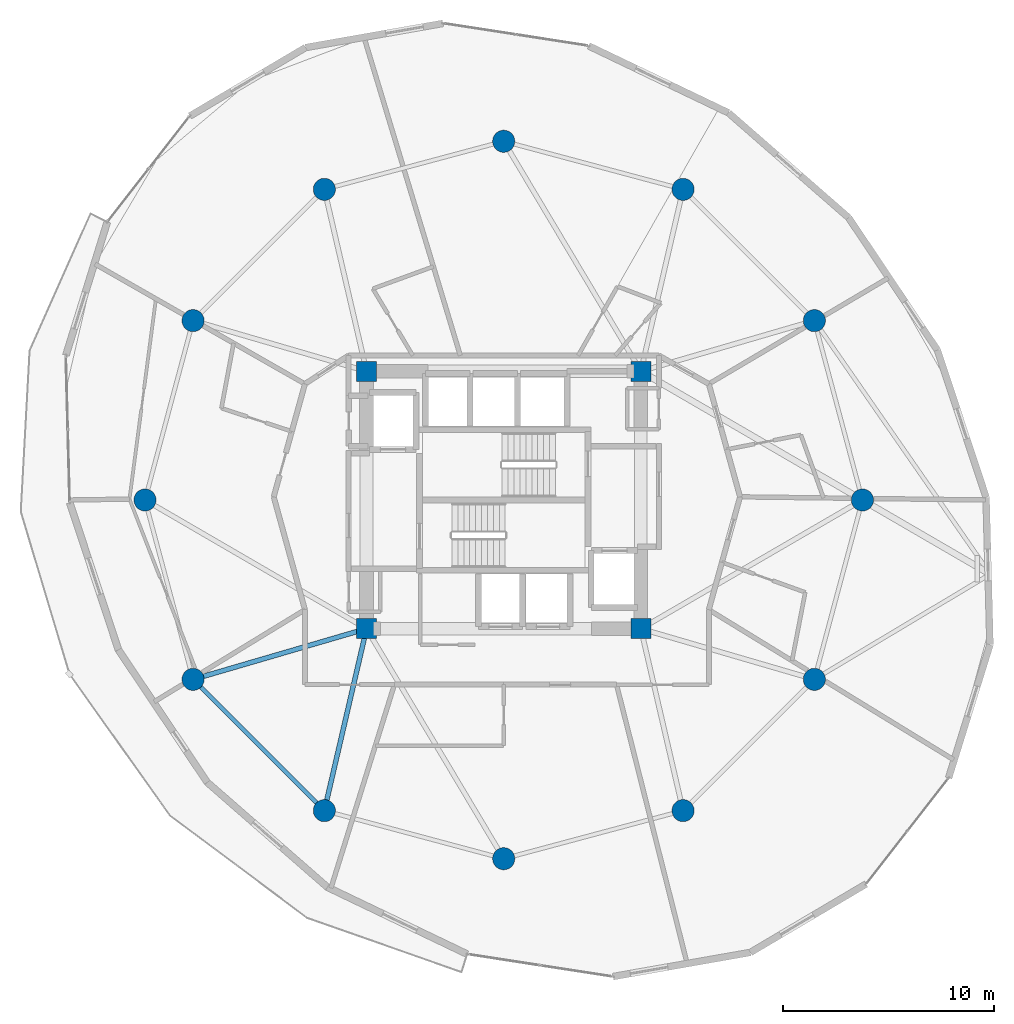
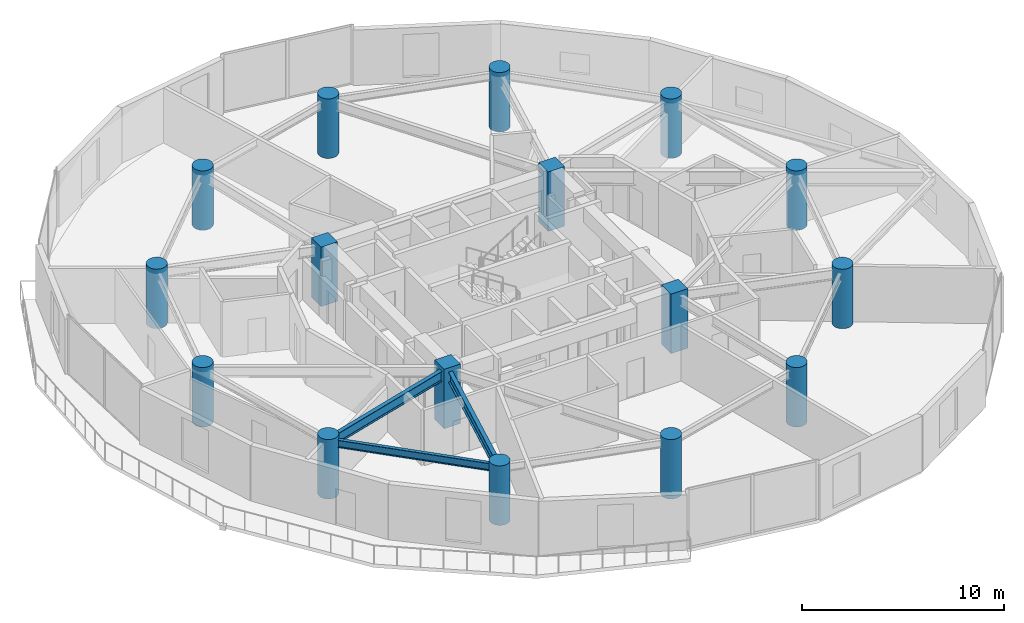
# One storey, part 1 of 20: 16 columns, 3 beams.
"""IFC4 building model written with IfcOpenShell, lengths in metres."""

from ifc_helpers import new_model, si_unit, direction, frame, origin, origin_2d, place, context, subcontext, project, spatial, rectangle, circle, i_section, extrude, material, material_profile, profile_set, type_object, element, save


model = new_model("IFC4")

# Units and contexts
model_context = context("Model", 3, precision=1e-05, world=origin(), true_north=direction((0.0, 1.0)))
body_context = subcontext(model_context, "Body", "Model", "MODEL_VIEW")
ifc_project = project(units=[si_unit("LENGTHUNIT", "METRE"), si_unit("AREAUNIT", "SQUARE_METRE"), si_unit("VOLUMEUNIT", "CUBIC_METRE"), si_unit("PLANEANGLEUNIT", "RADIAN"), si_unit("MASSUNIT", "GRAM", prefix="KILO")], contexts=[model_context])

# Site, building, storey
site_placement = place(None, origin())
site = spatial("IfcSite", under=ifc_project, at=site_placement, CompositionType="ELEMENT")
building_placement = place(site_placement, origin())
building = spatial("IfcBuilding", under=site, at=building_placement, Name="Solvirekh Grand Hotel", CompositionType="ELEMENT")
storey_placement = place(building_placement, frame((0.0, 0.0, 156.60009765625)))
storey = spatial("IfcBuildingStorey", under=building, at=storey_placement, Name="L40", CompositionType="ELEMENT", Elevation=156.60009765625)

# Columns
ifc_material_1 = material(Name="Concrete C50/60", Category="concrete")
ifc_material_profile_1 = material_profile(ifc_material_1, rectangle(XDim=0.949951171875, YDim=0.949951171875, at=origin_2d()), Name="RC 950X950")
ifc_profile_set_1 = profile_set([ifc_material_profile_1], Name="Concrete C50/60")
column_type_1 = type_object("IfcColumnType", Name="Col_Core_950", PredefinedType="COLUMN", material=ifc_profile_set_1)
for number, where, z_axis, x_axis, name in (
    (1, (-6.5, -6.10009765625, 0.0), (0.0, 0.0, 1.0), (1.0, 0.0, 0.0), "L40 core corner column CC1"),
    (2, (6.5, -6.10009765625, 0.0), (0.0, 0.0, 1.0), (1.0, 0.0, 0.0), "L40 core corner column CC2"),
    (3, (6.5, 6.10009765625, 0.0), (0.0, 0.0, 1.0), (1.0, 0.0, 0.0), "L40 core corner column CC3"),
    (4, (-6.5, 6.10009765625, 0.0), (0.0, 0.0, 1.0), (1.0, 0.0, 0.0), "L40 core corner column CC4"),
):
    element("IfcColumn", number, at=place(storey_placement, frame(where, z_axis=z_axis, x_axis=x_axis)), inside=storey, type_object=column_type_1, Name=name, PredefinedType="COLUMN", context=body_context, shape_type="SweptSolid", body=[
        extrude(rectangle(XDim=0.949951171875, YDim=0.949951171875, at=origin_2d()), origin(), (0.0, 0.0, 1.0), 3.599853515625),
    ])
ifc_material_profile_2 = material_profile(ifc_material_1, circle(Radius=0.52490234375, at=origin_2d()), Name="RC CIRC D1050")
ifc_profile_set_2 = profile_set([ifc_material_profile_2], Name="Concrete C50/60")
column_type_2 = type_object("IfcColumnType", Name="Col_Z2_D1050", PredefinedType="COLUMN", material=ifc_profile_set_2)
for number, where, z_axis, x_axis, name in (
    (5, (17.0, 0.0, 0.0), (0.0, 0.0, 1.0), (1.0, 0.0, 0.0), "L40 perimeter column P01"),
    (6, (14.721923828125, 8.5, 0.0), (0.0, 0.0, 1.0), (1.0, 0.0, 0.0), "L40 perimeter column P02"),
    (7, (8.5, 14.721923828125, 0.0), (0.0, 0.0, 1.0), (1.0, 0.0, 0.0), "L40 perimeter column P03"),
    (8, (0.0, 17.0, 0.0), (0.0, 0.0, 1.0), (1.0, 0.0, 0.0), "L40 perimeter column P04"),
    (9, (-8.5, 14.721923828125, 0.0), (0.0, 0.0, 1.0), (1.0, 0.0, 0.0), "L40 perimeter column P05"),
    (10, (-14.721923828125, 8.5, 0.0), (0.0, 0.0, 1.0), (1.0, 0.0, 0.0), "L40 perimeter column P06"),
    (11, (-17.0, 0.0, 0.0), (0.0, 0.0, 1.0), (1.0, 0.0, 0.0), "L40 perimeter column P07"),
    (12, (-14.721923828125, -8.5, 0.0), (0.0, 0.0, 1.0), (1.0, 0.0, 0.0), "L40 perimeter column P08"),
    (13, (-8.5, -14.721923828125, 0.0), (0.0, 0.0, 1.0), (1.0, 0.0, 0.0), "L40 perimeter column P09"),
    (14, (0.0, -17.0, 0.0), (0.0, 0.0, 1.0), (1.0, 0.0, 0.0), "L40 perimeter column P10"),
    (15, (8.5, -14.721923828125, 0.0), (0.0, 0.0, 1.0), (1.0, 0.0, 0.0), "L40 perimeter column P11"),
    (16, (14.721923828125, -8.5, 0.0), (0.0, 0.0, 1.0), (1.0, 0.0, 0.0), "L40 perimeter column P12"),
):
    element("IfcColumn", number, at=place(storey_placement, frame(where, z_axis=z_axis, x_axis=x_axis)), inside=storey, type_object=column_type_2, Name=name, PredefinedType="COLUMN", context=body_context, shape_type="SweptSolid", body=[
        extrude(circle(Radius=0.52490234375, at=origin_2d()), origin(), (0.0, 0.0, 1.0), 3.599853515625),
    ])

# Beams
ifc_material_2 = material(Name="Steel S355", Category="steel")
ifc_material_profile_3 = material_profile(ifc_material_2, i_section(OverallWidth=0.22802734375, OverallDepth=0.616943359375, WebThickness=0.012939453125, FlangeThickness=0.02001953125, FilletRadius=0.014892578125, at=origin_2d()), Name="W610X140")
ifc_profile_set_3 = profile_set([ifc_material_profile_3], Name="Steel S355")
beam_type_1 = type_object("IfcBeamType", Name="Beam_Radial_W610", PredefinedType="BEAM", material=ifc_profile_set_3)
beam_1_placement = place(storey_placement, frame((-6.5, -6.10009765625, 3.041015625), z_axis=(-0.959942195467, -0.28019811092, 0.0), x_axis=(0.28019811092, -0.959942195467, 0.0)))
element("IfcBeam", 17, at=beam_1_placement, inside=storey, type_object=beam_type_1, Name="L40 radial floor beam R08", PredefinedType="BEAM", context=body_context, shape_type="SweptSolid", body=[
    extrude(i_section(OverallWidth=0.22802734375, OverallDepth=0.616943359375, WebThickness=0.012939453125, FlangeThickness=0.02001953125, FilletRadius=0.014892578125, at=origin_2d()), origin(), (0.0, 0.0, 1.0), 8.56494140625),
])
beam_2_placement = place(storey_placement, frame((-6.5, -6.10009765625, 3.041015625), z_axis=(-0.225969390542, -0.974134402707, 0.0), x_axis=(0.974134402707, -0.225969390542, 0.0)))
element("IfcBeam", 18, at=beam_2_placement, inside=storey, type_object=beam_type_1, Name="L40 radial floor beam R09", PredefinedType="BEAM", context=body_context, shape_type="SweptSolid", body=[
    extrude(i_section(OverallWidth=0.22802734375, OverallDepth=0.616943359375, WebThickness=0.012939453125, FlangeThickness=0.02001953125, FilletRadius=0.014892578125, at=origin_2d()), origin(), (0.0, 0.0, 1.0), 8.850830078125),
])
ifc_material_profile_4 = material_profile(ifc_material_2, i_section(OverallWidth=0.18994140625, OverallDepth=0.45703125, WebThickness=0.009033203125, FlangeThickness=0.013916015625, FilletRadius=0.012939453125, at=origin_2d()), Name="W460X74")
ifc_profile_set_4 = profile_set([ifc_material_profile_4], Name="Steel S355")
beam_type_2 = type_object("IfcBeamType", Name="Spandrel_Ring_W460", PredefinedType="SPANDREL", material=ifc_profile_set_4)
beam_3_placement = place(storey_placement, frame((-14.721923828125, -8.5, 3.120849609375), z_axis=(0.707106781187, -0.707106781187, 0.0), x_axis=(0.707106781187, 0.707106781187, 0.0)))
element("IfcBeam", 19, at=beam_3_placement, inside=storey, type_object=beam_type_2, Name="L40 perimeter spandrel beam 8", PredefinedType="SPANDREL", context=body_context, shape_type="SweptSolid", body=[
    extrude(i_section(OverallWidth=0.18994140625, OverallDepth=0.45703125, WebThickness=0.009033203125, FlangeThickness=0.013916015625, FilletRadius=0.012939453125, at=origin_2d()), origin(), (0.0, 0.0, 1.0), 8.799072265625),
])

save(model, "model.ifc")
